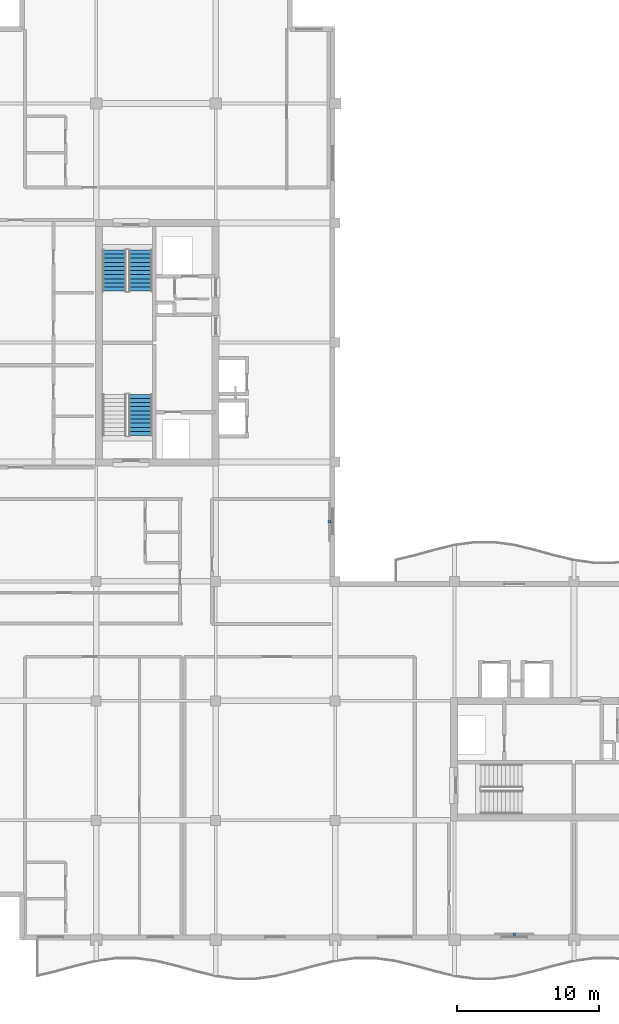
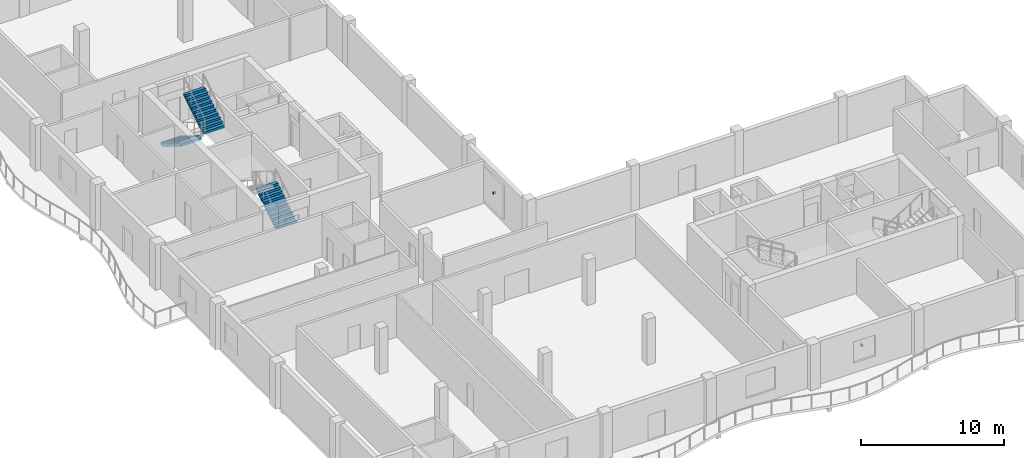
# One storey, part 8 of 11: 3 stair flights, 2 discrete accessories, 2 elements without a shape of their own.
"""IFC4 building model written with IfcOpenShell, lengths in metres."""

from ifc_helpers import new_model, si_unit, direction, frame, origin, origin_2d, place, context, subcontext, project, spatial, polyline, rectangle, outline, extrude, material, type_object, element, aggregate, save


model = new_model("IFC4")

# Units and contexts
model_context = context("Model", 3, precision=1e-05, world=origin(), true_north=direction((0.0, 1.0)))
body_context = subcontext(model_context, "Body", "Model", "MODEL_VIEW")
ifc_project = project(units=[si_unit("LENGTHUNIT", "METRE"), si_unit("AREAUNIT", "SQUARE_METRE"), si_unit("VOLUMEUNIT", "CUBIC_METRE"), si_unit("PLANEANGLEUNIT", "RADIAN"), si_unit("MASSUNIT", "GRAM", prefix="KILO")], contexts=[model_context])

# Site, building, storey
site_placement = place(None, origin())
site = spatial("IfcSite", under=ifc_project, at=site_placement, CompositionType="ELEMENT")
building_placement = place(site_placement, origin())
building = spatial("IfcBuilding", under=site, at=building_placement, Name="Koriwani Terraces Tower", CompositionType="ELEMENT")
storey_placement = place(building_placement, frame((0.0, 0.0, 343.699951171875)))
storey = spatial("IfcBuildingStorey", under=building, at=storey_placement, Name="L85", CompositionType="ELEMENT", Elevation=343.699951171875)

# Stair, stair flight
ifc_material_1 = material(Name="Concrete C40/50", Category="concrete")
stair_type = type_object("IfcStairType", Name="STAIR_CORE_DOGLEG_1650", PredefinedType="TWO_STRAIGHT_RUN_STAIR", material=ifc_material_1)
stair_1_placement = place(storey_placement, origin())
stair_1 = element("IfcStair", 1, at=stair_1_placement, inside=storey, type_object=stair_type, Name="L85 West Core Exit Stair 1", PredefinedType="HALF_TURN_STAIR")
stair_flight_type = type_object("IfcStairFlightType", Name="STAIR_FLIGHT_RC_1650", PredefinedType="STRAIGHT", material=ifc_material_1)
stair_flight_1_placement = place(storey_placement, frame((19.925048828125, 43.85009765625, 0.0), z_axis=(0.0, 0.0, 1.0), x_axis=(0.0, 1.0, 0.0)))
stair_flight_1 = element("IfcStairFlight", 2, at=stair_flight_1_placement, type_object=stair_flight_type, Name="ST-W1 flight 1", NumberOfRisers=11, NumberOfTreads=10, PredefinedType="STRAIGHT", RiserHeight=0.177272727, TreadLength=0.29, context=body_context, shape_type="SweptSolid", body=[
    extrude(outline(polyline([(0.0, 0.0), (0.0, 0.17724609375), (0.2900390625, 0.17724609375), (0.2900390625, 0.3544921875), (0.580078125, 0.3544921875), (0.580078125, 0.53173828125), (0.8701171875, 0.53173828125), (0.8701171875, 0.708984375), (1.159912109375, 0.708984375), (1.159912109375, 0.886474609375), (1.449951171875, 0.886474609375), (1.449951171875, 1.063720703125), (1.739990234375, 1.063720703125), (1.739990234375, 1.240966796875), (2.030029296875, 1.240966796875), (2.030029296875, 1.418212890625), (2.320068359375, 1.418212890625), (2.320068359375, 1.595458984375), (2.610107421875, 1.595458984375), (2.610107421875, 1.772705078125), (2.89990234375, 1.772705078125), (2.89990234375, 1.949951171875), (2.89990234375, 1.561767578125), (0.344970703125, 0.0), (0.0, 0.0)])), frame((0.0, 0.824951171875, 0.0), z_axis=(0.0, -1.0, 0.0), x_axis=(1.0, 0.0, 0.0)), (0.0, 0.0, 1.0), 1.64990234375),
])
aggregate(stair_1, [stair_flight_1])

# Stair, stair flights
stair_2_placement = place(storey_placement, origin())
stair_2 = element("IfcStair", 3, at=stair_2_placement, inside=storey, type_object=stair_type, Name="L85 West Core Exit Stair 2", PredefinedType="HALF_TURN_STAIR")
stair_flight_2_placement = place(storey_placement, frame((18.074951171875, 56.89990234375, 0.0), z_axis=(0.0, 0.0, 1.0), x_axis=(0.0, -1.0, 0.0)))
stair_flight_2 = element("IfcStairFlight", 4, at=stair_flight_2_placement, type_object=stair_flight_type, Name="ST-W2 flight 1", NumberOfRisers=11, NumberOfTreads=10, PredefinedType="STRAIGHT", RiserHeight=0.177272727, TreadLength=0.29, context=body_context, shape_type="SweptSolid", body=[
    extrude(outline(polyline([(0.0, 0.0), (0.0, 0.17724609375), (0.2900390625, 0.17724609375), (0.2900390625, 0.3544921875), (0.580078125, 0.3544921875), (0.580078125, 0.53173828125), (0.8701171875, 0.53173828125), (0.8701171875, 0.708984375), (1.159912109375, 0.708984375), (1.159912109375, 0.886474609375), (1.449951171875, 0.886474609375), (1.449951171875, 1.063720703125), (1.739990234375, 1.063720703125), (1.739990234375, 1.240966796875), (2.030029296875, 1.240966796875), (2.030029296875, 1.418212890625), (2.320068359375, 1.418212890625), (2.320068359375, 1.595458984375), (2.610107421875, 1.595458984375), (2.610107421875, 1.772705078125), (2.89990234375, 1.772705078125), (2.89990234375, 1.949951171875), (2.89990234375, 1.561767578125), (0.344970703125, 0.0), (0.0, 0.0)])), frame((0.0, 0.824951171875, 0.0), z_axis=(0.0, -1.0, 0.0), x_axis=(1.0, 0.0, 0.0)), (0.0, 0.0, 1.0), 1.64990234375),
])
stair_flight_3_placement = place(storey_placement, frame((19.925048828125, 54.0, 1.949951171875), z_axis=(0.0, 0.0, 1.0), x_axis=(0.0, 1.0, 0.0)))
stair_flight_3 = element("IfcStairFlight", 5, at=stair_flight_3_placement, type_object=stair_flight_type, Name="ST-W2 flight 2", NumberOfRisers=11, NumberOfTreads=10, PredefinedType="STRAIGHT", RiserHeight=0.177272727, TreadLength=0.29, context=body_context, shape_type="SweptSolid", body=[
    extrude(outline(polyline([(0.0, 0.0), (0.0, 0.17724609375), (0.2900390625, 0.17724609375), (0.2900390625, 0.3544921875), (0.580078125, 0.3544921875), (0.580078125, 0.53173828125), (0.8701171875, 0.53173828125), (0.8701171875, 0.708984375), (1.159912109375, 0.708984375), (1.159912109375, 0.886474609375), (1.449951171875, 0.886474609375), (1.449951171875, 1.063720703125), (1.739990234375, 1.063720703125), (1.739990234375, 1.240966796875), (2.030029296875, 1.240966796875), (2.030029296875, 1.418212890625), (2.320068359375, 1.418212890625), (2.320068359375, 1.595458984375), (2.610107421875, 1.595458984375), (2.610107421875, 1.772705078125), (2.89990234375, 1.772705078125), (2.89990234375, 1.949951171875), (2.89990234375, 1.561767578125), (0.344970703125, 0.0), (0.0, 0.0)])), frame((0.0, 0.824951171875, 0.0), z_axis=(0.0, -1.0, 0.0), x_axis=(1.0, 0.0, 0.0)), (0.0, 0.0, 1.0), 1.64990234375),
])
aggregate(stair_2, [stair_flight_2, stair_flight_3])

# Discrete accessories
ifc_material_2 = material(Name="Steel ASTM A572 Grade 50", Category="steel")
discrete_accessory_type = type_object("IfcDiscreteAccessoryType", Name="BAGUETTE_STANDOFF_BRACKET", PredefinedType="BRACKET", material=ifc_material_2)
for number, where, z_axis, x_axis, name in (
    (6, (33.2099609375, 37.800048828125, 1.7451171875), (0.0, 0.0, 1.0), (0.0, -1.0, 0.0), "L85 Terracotta Baguette Bracket (NW_IN-2)"),
    (7, (46.199951171875, 8.7900390625, 1.7451171875), (0.0, 0.0, 1.0), (-1.0, 0.0, 0.0), "L85 Terracotta Baguette Bracket (S-12)"),
):
    element("IfcDiscreteAccessory", number, at=place(storey_placement, frame(where, z_axis=z_axis, x_axis=x_axis)), inside=storey, type_object=discrete_accessory_type, Name=name, PredefinedType="BRACKET", context=body_context, shape_type="SweptSolid", body=[
        extrude(rectangle(XDim=0.159912109375, YDim=0.199951171875, at=origin_2d()), origin(), (0.0, 0.0, 1.0), 0.179931640625),
    ])

save(model, "model.ifc")
